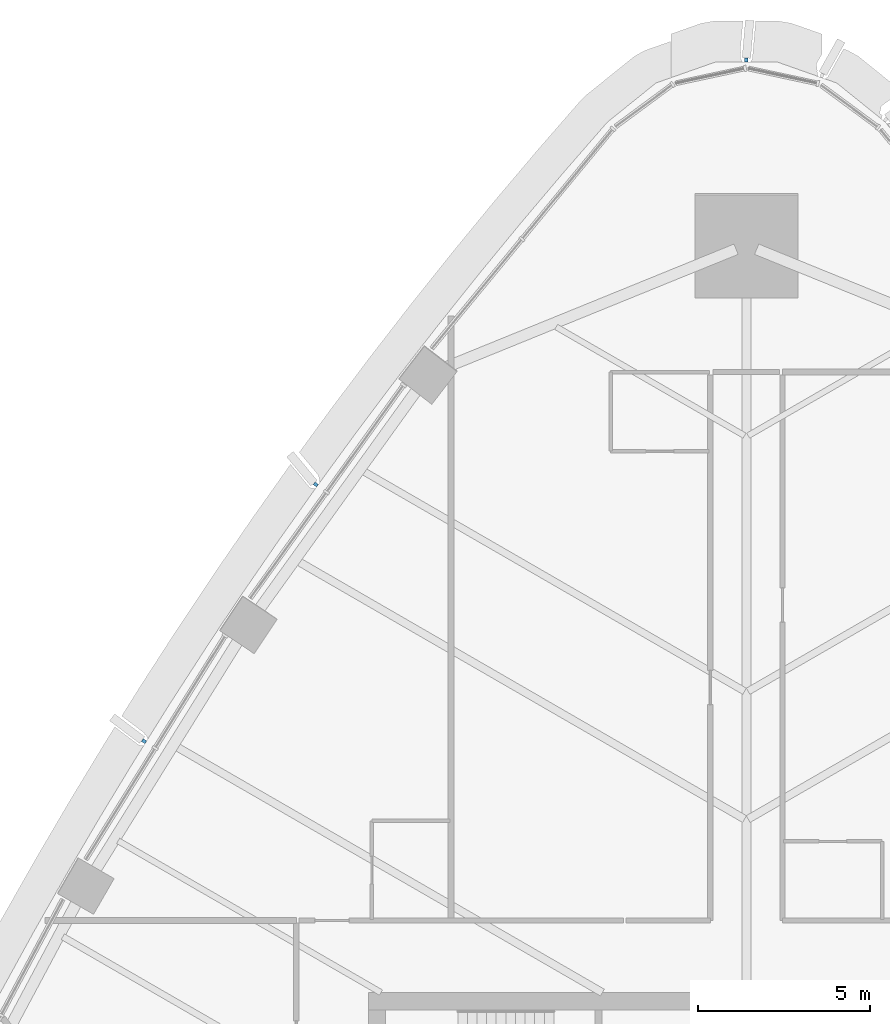
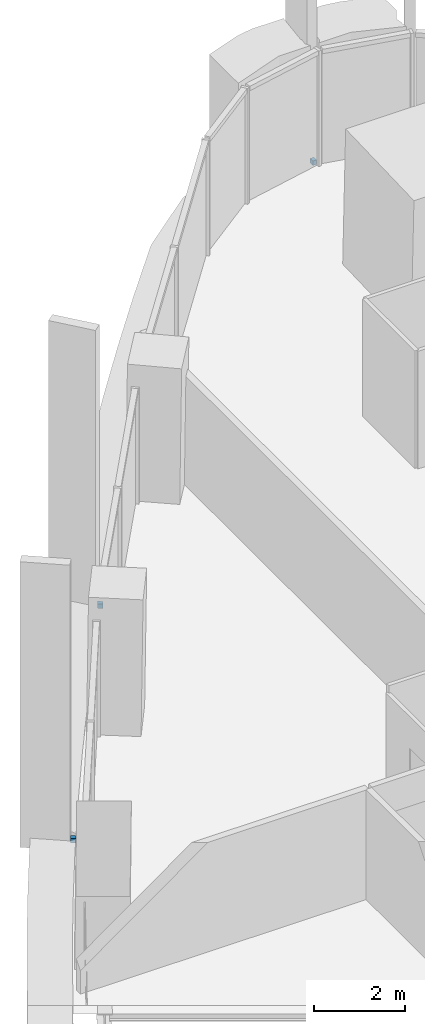
# One storey, part 17 of 22: 3 discrete accessories.
"""IFC4 building model written with IfcOpenShell, lengths in metres."""

from ifc_helpers import new_model, si_unit, direction, frame, origin, origin_2d, place, context, subcontext, project, spatial, rectangle, extrude, material, type_object, element, save


model = new_model("IFC4")

# Units and contexts
model_context = context("Model", 3, precision=1e-05, world=origin(), true_north=direction((0.0, 1.0)))
body_context = subcontext(model_context, "Body", "Model", "MODEL_VIEW")
ifc_project = project(units=[si_unit("LENGTHUNIT", "METRE"), si_unit("AREAUNIT", "SQUARE_METRE"), si_unit("VOLUMEUNIT", "CUBIC_METRE"), si_unit("PLANEANGLEUNIT", "RADIAN"), si_unit("MASSUNIT", "GRAM", prefix="KILO")], contexts=[model_context])

# Site, building, storey
site_placement = place(None, origin())
site = spatial("IfcSite", under=ifc_project, at=site_placement, CompositionType="ELEMENT")
building_placement = place(site_placement, origin())
building = spatial("IfcBuilding", under=site, at=building_placement, Name="Sierra Prisma Convention Tower", CompositionType="ELEMENT")
storey_placement = place(building_placement, frame((0.0, 0.0, 96.10009765625)))
storey = spatial("IfcBuildingStorey", under=building, at=storey_placement, Name="L20", CompositionType="ELEMENT", Elevation=96.10009765625)

# Discrete accessories
ifc_material = material(Name="Stainless steel 316", Category="steel")
discrete_accessory_type = type_object("IfcDiscreteAccessoryType", Name="Fin bracket", PredefinedType="BRACKET", material=ifc_material)
for number, where, z_axis, x_axis, name in (
    (1, (0.0, 35.1416015625, -0.13525390625), (0.0, 0.0, 1.0), (0.0, 1.0, 0.0), "Fin bracket L20.41 base"),
    (2, (-12.533203125, 22.788818359375, -0.13525390625), (0.0, 0.0, 1.0), (-0.81604299387, 0.577991204219, 0.0), "Fin bracket L20.47 base"),
    (3, (-17.5322265625, 15.3173828125, -0.13525390625), (0.0, 0.0, 1.0), (-0.84765878214, 0.530541788232, 0.0), "Fin bracket L20.50 base"),
):
    element("IfcDiscreteAccessory", number, at=place(storey_placement, frame(where, z_axis=z_axis, x_axis=x_axis)), inside=storey, type_object=discrete_accessory_type, Name=name, PredefinedType="BRACKET", context=body_context, shape_type="SweptSolid", body=[
        extrude(rectangle(XDim=0.1201171875, YDim=0.10009765625, at=origin_2d()), origin(), (0.0, 0.0, 1.0), 0.1201171875),
    ])

save(model, "model.ifc")
